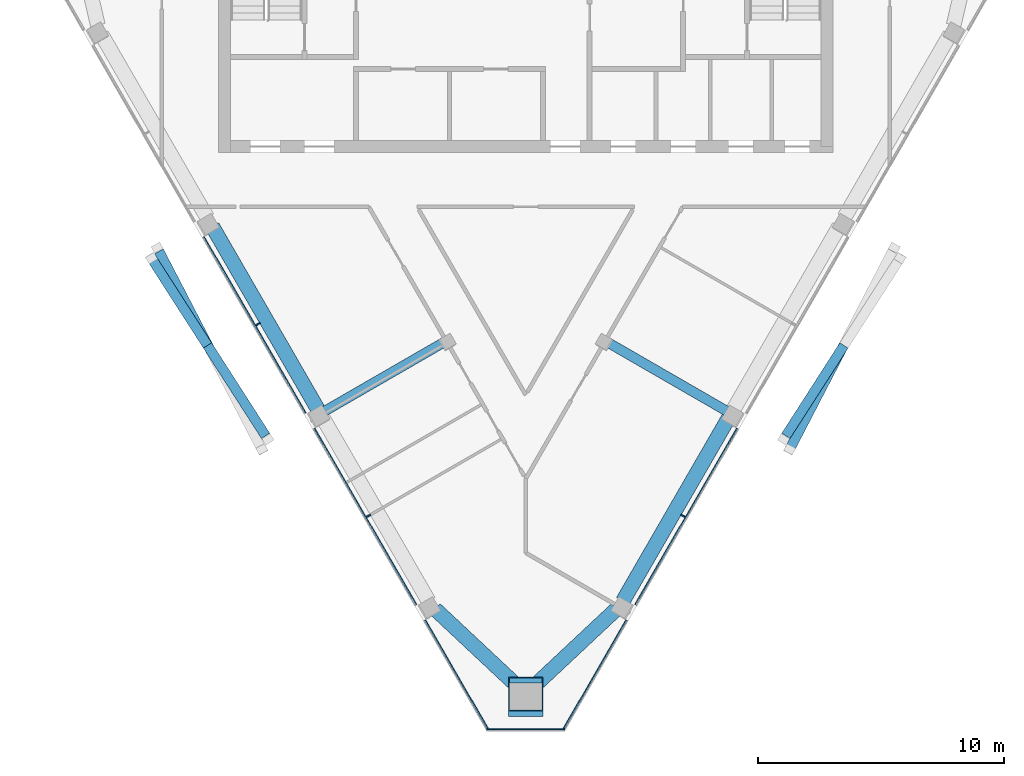
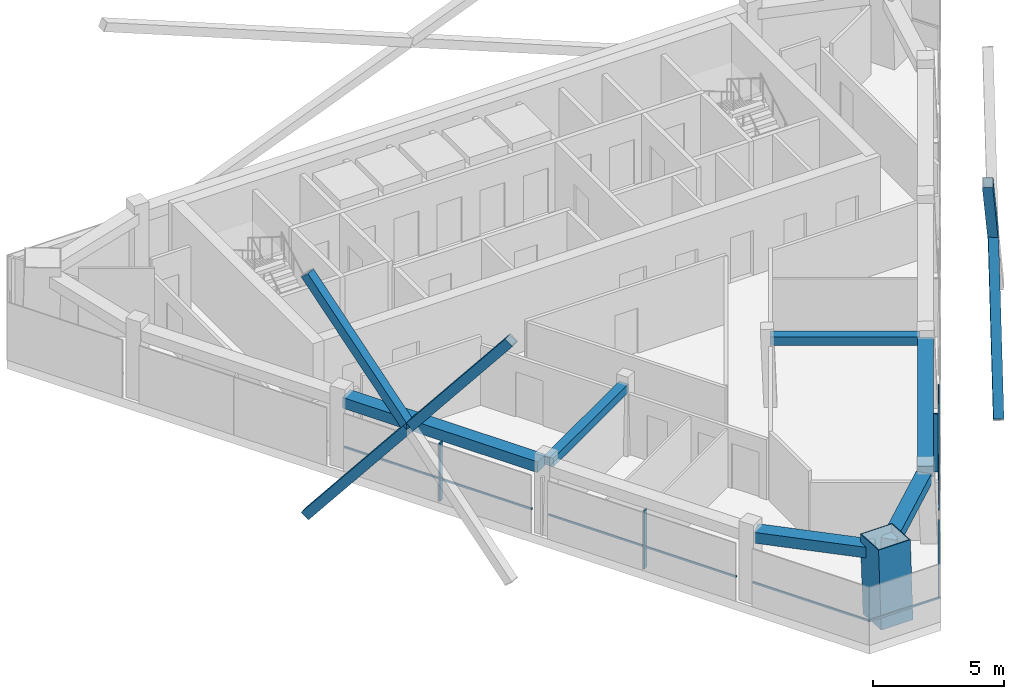
# One storey, part 2 of 10: 15 members, 6 beams, 3 elements without a shape of their own.
"""IFC4 building model written with IfcOpenShell, lengths in metres."""

from ifc_helpers import new_model, si_unit, direction, frame, origin, origin_2d, place, context, subcontext, project, spatial, rectangle, hollow_rectangle, extrude, material, layer, layer_set, material_profile, profile_set, type_object, element, aggregate, save


model = new_model("IFC4")

# Units and contexts
model_context = context("Model", 3, precision=1e-05, world=origin(), true_north=direction((0.0, 1.0)))
body_context = subcontext(model_context, "Body", "Model", "MODEL_VIEW")
ifc_project = project(units=[si_unit("LENGTHUNIT", "METRE"), si_unit("AREAUNIT", "SQUARE_METRE"), si_unit("VOLUMEUNIT", "CUBIC_METRE"), si_unit("PLANEANGLEUNIT", "RADIAN"), si_unit("MASSUNIT", "GRAM", prefix="KILO")], contexts=[model_context])

# Site, building, storey
site_placement = place(None, origin())
site = spatial("IfcSite", under=ifc_project, at=site_placement, CompositionType="ELEMENT")
building_placement = place(site_placement, origin())
building = spatial("IfcBuilding", under=site, at=building_placement, Name="Altiplano Prism Tower", CompositionType="ELEMENT")
storey_placement = place(building_placement, frame((0.0, 0.0, 347.199951171875)))
storey = spatial("IfcBuildingStorey", under=building, at=storey_placement, Name="L90", CompositionType="ELEMENT", Elevation=347.199951171875)

# Curtain wall, members
ifc_material_1 = material(Name="Aluminium and glass", Category="aluminium")
ifc_layer = layer(ifc_material_1, 0.303955078125)
ifc_layer_set = layer_set([ifc_layer], Name="Aluminium and glass")
curtain_wall_type = type_object("IfcCurtainWallType", Name="CW2 lounge-band unitised glazing", PredefinedType="NOTDEFINED", material=ifc_layer_set)
curtain_wall_1_placement = place(storey_placement, origin())
curtain_wall_1 = element("IfcCurtainWall", 1, at=curtain_wall_1_placement, inside=storey, type_object=curtain_wall_type, Name="CW2 curtain wall south-west face L90", PredefinedType="NOTDEFINED")
ifc_material_2 = material(Name="Aluminium", Category="aluminium")
ifc_material_profile_1 = material_profile(ifc_material_2, rectangle(XDim=0.199951171875, YDim=0.06005859375, at=origin_2d()), Name="CW2 mullion 60 x 200")
ifc_profile_set_1 = profile_set([ifc_material_profile_1], Name="Aluminium")
member_type_1 = type_object("IfcMemberType", Name="CW2 mullion 60 x 200", PredefinedType="MULLION", material=ifc_profile_set_1)
member_1_placement = place(storey_placement, frame((74.104736328125, 85.9248046875, 0.0), z_axis=(0.0, 0.0, 1.0), x_axis=(0.866025399727, 0.500000007028, 0.0)))
member_1 = element("IfcMember", 2, at=member_1_placement, type_object=member_type_1, Name="CW2 mullion", PredefinedType="MULLION", context=body_context, shape_type="SweptSolid", body=[
    extrude(rectangle(XDim=0.199951171875, YDim=0.06005859375, at=origin_2d()), origin(), (0.0, 0.0, 1.0), 2.699951171875),
])
member_2_placement = place(storey_placement, frame((78.604736328125, 78.130615234375, 0.0), z_axis=(0.0, 0.0, 1.0), x_axis=(0.866025399727, 0.500000007028, 0.0)))
member_2 = element("IfcMember", 3, at=member_2_placement, type_object=member_type_1, Name="CW2 mullion", PredefinedType="MULLION", context=body_context, shape_type="SweptSolid", body=[
    extrude(rectangle(XDim=0.199951171875, YDim=0.06005859375, at=origin_2d()), origin(), (0.0, 0.0, 1.0), 2.699951171875),
])

# Curtain wall, member
curtain_wall_2_placement = place(storey_placement, origin())
curtain_wall_2 = element("IfcCurtainWall", 4, at=curtain_wall_2_placement, inside=storey, type_object=curtain_wall_type, Name="CW2 curtain wall south-east face L90", PredefinedType="NOTDEFINED")
member_3_placement = place(storey_placement, frame((91.395263671875, 78.130615234375, 0.0), z_axis=(0.0, 0.0, 1.0), x_axis=(-0.866025399727, 0.500000007028, 0.0)))
member_3 = element("IfcMember", 5, at=member_3_placement, type_object=member_type_1, Name="CW2 mullion", PredefinedType="MULLION", context=body_context, shape_type="SweptSolid", body=[
    extrude(rectangle(XDim=0.199951171875, YDim=0.06005859375, at=origin_2d()), origin(), (0.0, 0.0, 1.0), 2.699951171875),
])

# Member
ifc_material_profile_2 = material_profile(ifc_material_2, rectangle(XDim=0.06005859375, YDim=0.080078125, at=origin_2d()), Name="CW2 transom 80 x 60")
ifc_profile_set_2 = profile_set([ifc_material_profile_2], Name="Aluminium")
member_type_2 = type_object("IfcMemberType", Name="CW2 transom 80 x 60", PredefinedType="USERDEFINED", material=ifc_profile_set_2)
member_4_placement = place(storey_placement, frame((71.90478515625, 89.4755859375, 1.10009765625), z_axis=(0.499983951678, -0.866034669089, 0.0), x_axis=(0.866034669089, 0.499983951678, 0.0)))
member_4 = element("IfcMember", 6, at=member_4_placement, type_object=member_type_2, Name="CW2 transom", ObjectType="TRANSOM", PredefinedType="USERDEFINED", context=body_context, shape_type="SweptSolid", body=[
    extrude(rectangle(XDim=0.06005859375, YDim=0.080078125, at=origin_2d()), origin(), (0.0, 0.0, 1.0), 8.270263671875),
])

member_5_placement = place(storey_placement, frame((76.40478515625, 81.681396484375, 1.10009765625), z_axis=(0.499983951678, -0.866034669089, 0.0), x_axis=(0.866034669089, 0.499983951678, 0.0)))
member_5 = element("IfcMember", 7, at=member_5_placement, type_object=member_type_2, Name="CW2 transom", ObjectType="TRANSOM", PredefinedType="USERDEFINED", context=body_context, shape_type="SweptSolid", body=[
    extrude(rectangle(XDim=0.06005859375, YDim=0.080078125, at=origin_2d()), origin(), (0.0, 0.0, 1.0), 8.270263671875),
])

member_6_placement = place(storey_placement, frame((80.90478515625, 73.886962890625, 1.10009765625), z_axis=(0.499997981539, -0.86602656914, 0.0), x_axis=(0.86602656914, 0.499997981539, 0.0)))
member_6 = element("IfcMember", 8, at=member_6_placement, type_object=member_type_2, Name="CW2 transom", ObjectType="TRANSOM", PredefinedType="USERDEFINED", context=body_context, shape_type="SweptSolid", body=[
    extrude(rectangle(XDim=0.06005859375, YDim=0.080078125, at=origin_2d()), origin(), (0.0, 0.0, 1.0), 5.16455078125),
])

aggregate(curtain_wall_1, [member_1, member_4, member_2, member_5, member_6])

# Curtain wall, member
curtain_wall_3_placement = place(storey_placement, origin())
curtain_wall_3 = element("IfcCurtainWall", 9, at=curtain_wall_3_placement, inside=storey, type_object=curtain_wall_type, Name="CW2 curtain wall south chamfer L90", PredefinedType="NOTDEFINED")
member_7_placement = place(storey_placement, frame((83.423095703125, 69.451171875, 1.10009765625), z_axis=(1.0, 0.0, 0.0), x_axis=(0.0, 1.0, 0.0)))
member_7 = element("IfcMember", 10, at=member_7_placement, type_object=member_type_2, Name="CW2 transom", ObjectType="TRANSOM", PredefinedType="USERDEFINED", context=body_context, shape_type="SweptSolid", body=[
    extrude(rectangle(XDim=0.06005859375, YDim=0.080078125, at=origin_2d()), origin(), (0.0, 0.0, 1.0), 3.15380859375),
])
aggregate(curtain_wall_3, [member_7])

# Member
member_8_placement = place(storey_placement, frame((86.512939453125, 69.414306640625, 1.10009765625), z_axis=(0.499997981539, 0.86602656914, 0.0), x_axis=(-0.86602656914, 0.499997981539, 0.0)))
member_8 = element("IfcMember", 11, at=member_8_placement, type_object=member_type_2, Name="CW2 transom", ObjectType="TRANSOM", PredefinedType="USERDEFINED", context=body_context, shape_type="SweptSolid", body=[
    extrude(rectangle(XDim=0.06005859375, YDim=0.080078125, at=origin_2d()), origin(), (0.0, 0.0, 1.0), 5.16455078125),
])

member_9_placement = place(storey_placement, frame((89.460205078125, 74.51904296875, 1.10009765625), z_axis=(0.499983951678, 0.866034669089, 0.0), x_axis=(-0.866034669089, 0.499983951678, 0.0)))
member_9 = element("IfcMember", 12, at=member_9_placement, type_object=member_type_2, Name="CW2 transom", ObjectType="TRANSOM", PredefinedType="USERDEFINED", context=body_context, shape_type="SweptSolid", body=[
    extrude(rectangle(XDim=0.06005859375, YDim=0.080078125, at=origin_2d()), origin(), (0.0, 0.0, 1.0), 8.270263671875),
])

aggregate(curtain_wall_2, [member_8, member_3, member_9])

# Beams
ifc_material_3 = material(Name="Concrete C60/75", Category="concrete")
ifc_material_profile_3 = material_profile(ifc_material_3, rectangle(XDim=0.60009765625, YDim=0.5, at=origin_2d()), Name="Edge beam 600x500")
ifc_profile_set_3 = profile_set([ifc_material_profile_3], Name="Concrete C60/75")
beam_type_1 = type_object("IfcBeamType", Name="Edge beam 600x500", PredefinedType="SPANDREL", material=ifc_profile_set_3)
beam_1_placement = place(storey_placement, frame((72.250244140625, 89.906005859375, 2.949951171875), z_axis=(0.500011935685, -0.866018512604, 0.0), x_axis=(0.866018512604, 0.500011935685, 0.0)))
element("IfcBeam", 13, at=beam_1_placement, inside=storey, type_object=beam_type_1, Name="Edge beam P12-P13 L91", PredefinedType="SPANDREL", context=body_context, shape_type="SweptSolid", body=[
    extrude(rectangle(XDim=0.60009765625, YDim=0.5, at=origin_2d()), origin(), (0.0, 0.0, 1.0), 8.590087890625),
])
for number, where, z_axis, x_axis, name in (
    (14, (81.30810546875, 74.344970703125, 2.949951171875), (0.729931968609, -0.68351980308, 0.0), (0.68351980308, 0.729931968609, 0.0), "Edge beam P14-M1 L91"),
    (15, (85.328369140625, 71.1953125, 2.949951171875), (0.729931968609, 0.68351980308, 0.0), (-0.68351980308, 0.729931968609, 0.0), "Edge beam M1-P21 L91"),
):
    element("IfcBeam", number, at=place(storey_placement, frame(where, z_axis=z_axis, x_axis=x_axis)), inside=storey, type_object=beam_type_1, Name=name, PredefinedType="SPANDREL", context=body_context, shape_type="SweptSolid", body=[
        extrude(rectangle(XDim=0.60009765625, YDim=0.5, at=origin_2d()), origin(), (0.0, 0.0, 1.0), 4.60791015625),
    ])
beam_2_placement = place(storey_placement, frame((88.95458984375, 74.672607421875, 2.949951171875), z_axis=(0.500011935685, 0.866018512604, 0.0), x_axis=(-0.866018512604, 0.500011935685, 0.0)))
element("IfcBeam", 16, at=beam_2_placement, inside=storey, type_object=beam_type_1, Name="Edge beam P21-P22 L91", PredefinedType="SPANDREL", context=body_context, shape_type="SweptSolid", body=[
    extrude(rectangle(XDim=0.60009765625, YDim=0.5, at=origin_2d()), origin(), (0.0, 0.0, 1.0), 8.590087890625),
])

# Members
ifc_material_4 = material(Name="Steel S355", Category="steel")
ifc_material_profile_4 = material_profile(ifc_material_4, hollow_rectangle(XDim=0.39990234375, YDim=0.39990234375, WallThickness=0.02001953125, at=origin_2d()), Name="Mega brace Box 400x400x20")
ifc_profile_set_4 = profile_set([ifc_material_profile_4], Name="Steel S355")
member_type_3 = type_object("IfcMemberType", Name="Mega brace Box 400x400x20", PredefinedType="BRACE", material=ifc_profile_set_4)
member_10_placement = place(storey_placement, frame((69.779541015625, 88.609375, -0.734375), z_axis=(0.338824162646, -0.527417611854, 0.779120561604), x_axis=(0.841345340272, 0.540497935614, 0.0)))
element("IfcMember", 17, at=member_10_placement, inside=storey, type_object=member_type_3, Name="Mega brace 11.1.1", PredefinedType="BRACE", context=body_context, shape_type="SweptSolid", body=[
    extrude(hollow_rectangle(XDim=0.39990234375, YDim=0.39990234375, WallThickness=0.02001953125, at=origin_2d()), origin(), (0.0, 0.0, 1.0), 6.974853515625),
])
member_11_placement = place(storey_placement, frame((72.142822265625, 84.9306640625, 4.699951171875), z_axis=(0.338814922687, -0.527403228826, 0.779134316013), x_axis=(0.841345340272, 0.540497935614, 0.0)))
element("IfcMember", 18, at=member_11_placement, inside=storey, type_object=member_type_3, Name="Mega brace 11.1.2", PredefinedType="BRACE", context=body_context, shape_type="SweptSolid", body=[
    extrude(hollow_rectangle(XDim=0.39990234375, YDim=0.39990234375, WallThickness=0.02001953125, at=origin_2d()), origin(), (0.0, 0.0, 1.0), 6.97509765625),
])
for number, where, z_axis, x_axis, name in (
    (19, (72.142822265625, 84.9306640625, 4.699951171875), (-0.297991620003, 0.574301780757, 0.762481776193), (-0.887624695965, -0.460567475093, 0.0), "Mega brace 11.1.4"),
    (20, (95.733154296875, 80.837158203125, -0.734619140625), (0.297999402618, 0.574316779736, 0.762467437044), (-0.887624695965, 0.460567475093, 0.0), "Mega brace 11.2.1"),
):
    element("IfcMember", number, at=place(storey_placement, frame(where, z_axis=z_axis, x_axis=x_axis)), inside=storey, type_object=member_type_3, Name=name, PredefinedType="BRACE", context=body_context, shape_type="SweptSolid", body=[
        extrude(hollow_rectangle(XDim=0.39990234375, YDim=0.39990234375, WallThickness=0.02001953125, at=origin_2d()), origin(), (0.0, 0.0, 1.0), 7.127685546875),
    ])
member_12_placement = place(storey_placement, frame((97.857177734375, 84.9306640625, 4.699951171875), z_axis=(-0.338814922687, -0.527403228826, 0.779134316013), x_axis=(0.841345340272, -0.540497935614, 0.0)))
element("IfcMember", 21, at=member_12_placement, inside=storey, type_object=member_type_3, Name="Mega brace 11.2.4", PredefinedType="BRACE", context=body_context, shape_type="SweptSolid", body=[
    extrude(hollow_rectangle(XDim=0.39990234375, YDim=0.39990234375, WallThickness=0.02001953125, at=origin_2d()), origin(), (0.0, 0.0, 1.0), 6.97509765625),
])
ifc_material_5 = material(Name="Steel S460", Category="steel")
ifc_material_profile_5 = material_profile(ifc_material_5, hollow_rectangle(XDim=1.39990234375, YDim=1.39990234375, WallThickness=0.0400390625, at=origin_2d()), Name="Mega column tube 1400")
ifc_profile_set_5 = profile_set([ifc_material_profile_5], Name="Steel S460")
member_type_4 = type_object("IfcMemberType", Name="Mega column tube 1400", PredefinedType="POST", material=ifc_profile_set_5)
member_13_placement = place(storey_placement, frame((85.0, 70.67724609375, 0.0), z_axis=(0.0, 0.058356907999, 0.998295783467), x_axis=(-1.0, 0.0, 0.0)))
element("IfcMember", 22, at=member_13_placement, inside=storey, type_object=member_type_4, Name="Mega column tube M1 L90", PredefinedType="POST", context=body_context, shape_type="SweptSolid", body=[
    extrude(hollow_rectangle(XDim=1.39990234375, YDim=1.39990234375, WallThickness=0.0400390625, at=origin_2d()), origin(), (0.0, 0.0, 1.0), 3.606201171875),
])

# Beams
ifc_material_profile_6 = material_profile(ifc_material_3, rectangle(XDim=0.39990234375, YDim=0.39990234375, at=origin_2d()), Name="Tie beam 400x400")
ifc_profile_set_6 = profile_set([ifc_material_profile_6], Name="Concrete C60/75")
beam_type_2 = type_object("IfcBeamType", Name="Tie beam 400x400", PredefinedType="BEAM", material=ifc_profile_set_6)
for number, where, z_axis, x_axis, name in (
    (23, (81.774658203125, 85.249267578125, 3.0), (-0.866026229868, -0.499998569178, 0.0), (0.499998569178, -0.866026229868, 0.0), "Tie beam I13 L91"),
    (24, (88.225341796875, 85.249267578125, 3.0), (0.866026229868, -0.499998569178, 0.0), (0.499998569178, 0.866026229868, 0.0), "Tie beam I22 L91"),
):
    element("IfcBeam", number, at=place(storey_placement, frame(where, z_axis=z_axis, x_axis=x_axis)), inside=storey, type_object=beam_type_2, Name=name, PredefinedType="BEAM", context=body_context, shape_type="SweptSolid", body=[
        extrude(rectangle(XDim=0.39990234375, YDim=0.39990234375, at=origin_2d()), origin(), (0.0, 0.0, 1.0), 5.71484375),
    ])

save(model, "model.ifc")
